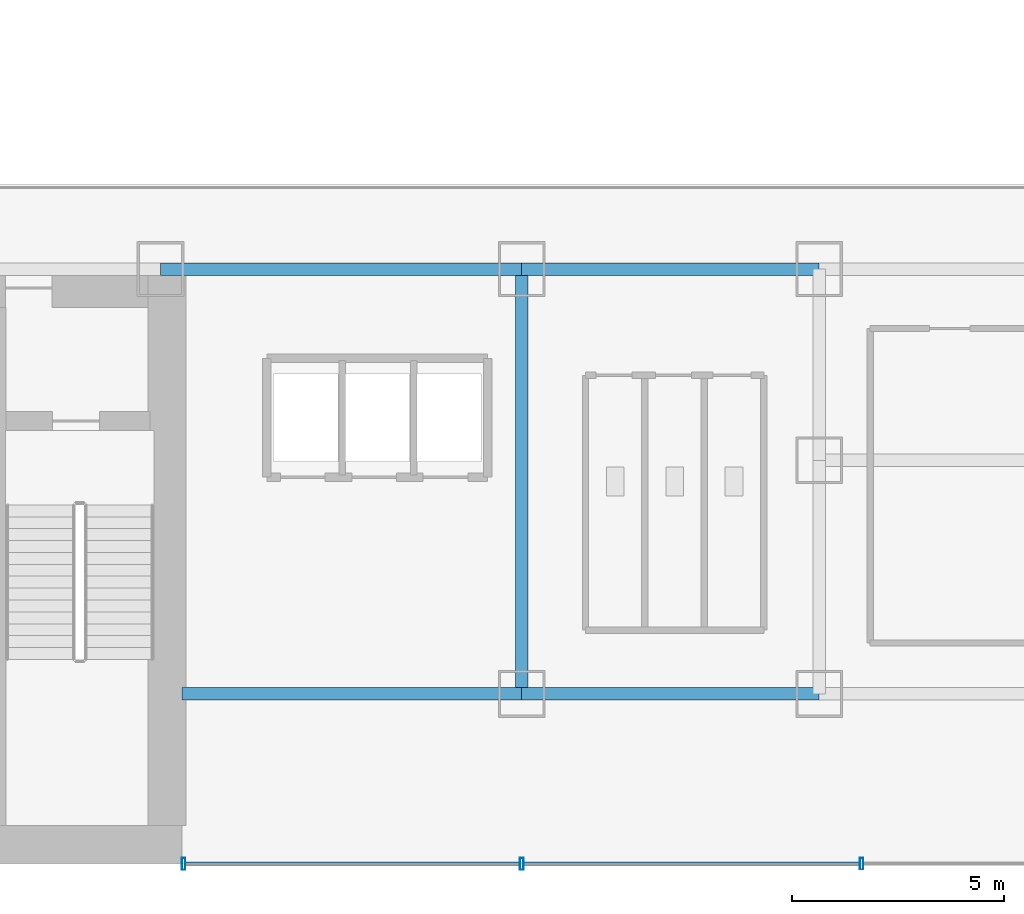
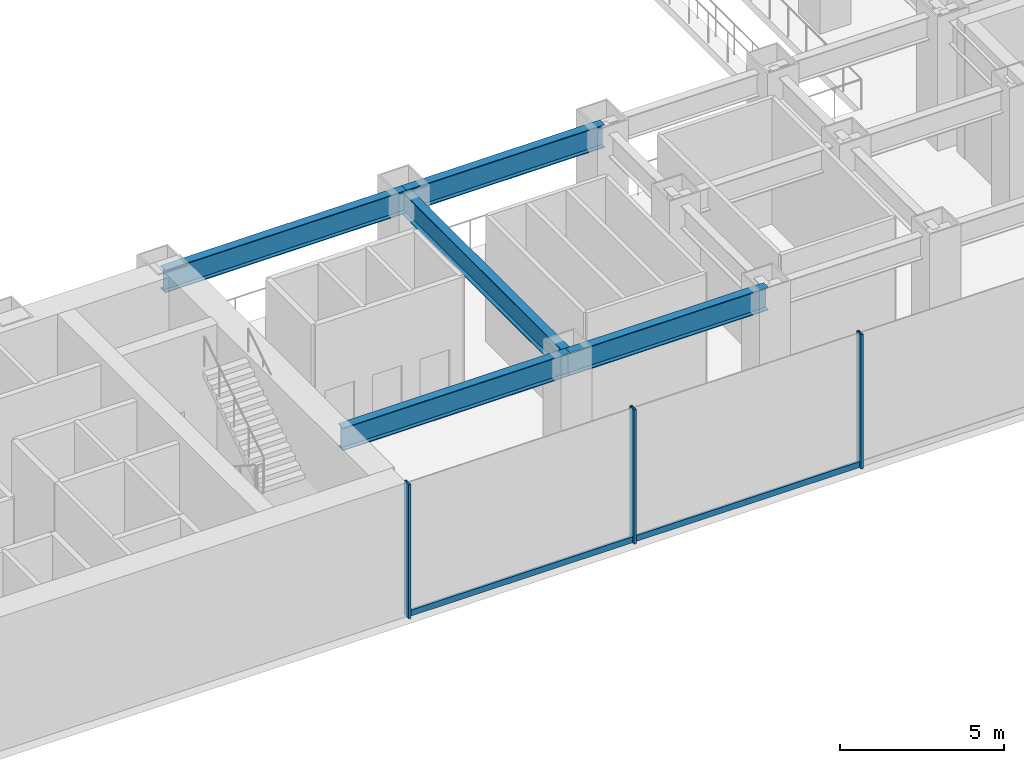
# One storey, part 9 of 40: 5 beams, 5 members, 1 element without a shape of its own.
"""IFC4 building model written with IfcOpenShell, lengths in metres."""

from ifc_helpers import new_model, si_unit, derived_unit, direction, frame, origin, origin_2d, place, context, subcontext, project, spatial, hollow_rectangle, i_section, extrude, source, transform, mapped, material, material_profile, profile_set, type_object, element, aggregate, save


model = new_model("IFC4")

# Units and contexts
model_context = context("Model", 3, precision=1e-05, world=origin(), true_north=direction((0.0, 1.0)))
body_context = subcontext(model_context, "Body", "Model", "MODEL_VIEW")
ifc_project = project(units=[si_unit("LENGTHUNIT", "METRE"), si_unit("AREAUNIT", "SQUARE_METRE"), si_unit("VOLUMEUNIT", "CUBIC_METRE"), si_unit("PLANEANGLEUNIT", "RADIAN"), si_unit("MASSUNIT", "GRAM", prefix="KILO"), derived_unit("THERMALTRANSMITTANCEUNIT", [(si_unit("POWERUNIT", "WATT"), 1), (si_unit("LENGTHUNIT", "METRE"), -2), (si_unit("THERMODYNAMICTEMPERATUREUNIT", "KELVIN"), -1)])], contexts=[model_context])

# Site, building, storey
site_placement = place(None, origin())
site = spatial("IfcSite", under=ifc_project, at=site_placement, CompositionType="ELEMENT")
building_placement = place(site_placement, origin())
building = spatial("IfcBuilding", under=site, at=building_placement, Name="Skarnbrae Concourse Arena and Tower", CompositionType="ELEMENT")
storey_placement = place(building_placement, frame((0.0, 0.0, 6.0)))
storey = spatial("IfcBuildingStorey", under=building, at=storey_placement, Name="L01", CompositionType="ELEMENT", Elevation=6.0)

# Beams
ifc_material_1 = material(Name="Steel CSA G40.21 350W", Category="steel")
ifc_material_profile_1 = material_profile(ifc_material_1, i_section(OverallWidth=0.2939453125, OverallDepth=0.85107421875, WebThickness=0.01611328125, FlangeThickness=0.02685546875, at=origin_2d()), Name="W840X226")
ifc_profile_set_1 = profile_set([ifc_material_profile_1], Name="Steel CSA G40.21 350W")
beam_type = type_object("IfcBeamType", Name="BM-GIRD-W840X226", PredefinedType="BEAM", material=ifc_profile_set_1)
shared_shape_1 = source(origin(), body_context, "Body", "SweptSolid", [
    extrude(i_section(OverallWidth=0.2939453125, OverallDepth=0.85107421875, WebThickness=0.01611328125, FlangeThickness=0.02685546875, at=origin_2d()), origin(), (0.0, 0.0, 1.0), 8.5),
])
beam_1_placement = place(storey_placement, frame((33.5, 14.0, 4.2744140625), z_axis=(1.0, 0.0, 0.0), x_axis=(0.0, 1.0, 0.0)))
element("IfcBeam", 1, at=beam_1_placement, inside=storey, type_object=beam_type, Name="L01 Podium south spine girder 6", PredefinedType="BEAM", context=body_context, shape_type="MappedRepresentation", body=[
    mapped(shared_shape_1, transform((0.0, 0.0, 0.0))),
])
shared_shape_2 = source(origin(), body_context, "Body", "SweptSolid", [
    extrude(i_section(OverallWidth=0.2939453125, OverallDepth=0.85107421875, WebThickness=0.01611328125, FlangeThickness=0.02685546875, at=origin_2d()), origin(), (0.0, 0.0, 1.0), 7.0),
])
for number, where, z_axis, x_axis, name in (
    (2, (42.0, 14.0, 4.2744140625), (1.0, 0.0, 0.0), (0.0, 1.0, 0.0), "L01 Podium south spine girder 7"),
    (3, (42.0, 4.0, 4.2744140625), (1.0, 0.0, 0.0), (0.0, 1.0, 0.0), "L01 South-east girder 2"),
):
    element("IfcBeam", number, at=place(storey_placement, frame(where, z_axis=z_axis, x_axis=x_axis)), inside=storey, type_object=beam_type, Name=name, PredefinedType="BEAM", context=body_context, shape_type="MappedRepresentation", body=[
        mapped(shared_shape_2, transform((0.0, 0.0, 0.0))),
    ])
shared_shape_3 = source(origin(), body_context, "Body", "SweptSolid", [
    extrude(i_section(OverallWidth=0.2939453125, OverallDepth=0.85107421875, WebThickness=0.01611328125, FlangeThickness=0.02685546875, at=origin_2d()), origin(), (0.0, 0.0, 1.0), 8.0),
])
beam_2_placement = place(storey_placement, frame((34.0, 4.0, 4.2744140625), z_axis=(1.0, 0.0, 0.0), x_axis=(0.0, 1.0, 0.0)))
element("IfcBeam", 4, at=beam_2_placement, inside=storey, type_object=beam_type, Name="L01 South-east girder 1", PredefinedType="BEAM", context=body_context, shape_type="MappedRepresentation", body=[
    mapped(shared_shape_3, transform((0.0, 0.0, 0.0))),
])
shared_shape_4 = source(origin(), body_context, "Body", "SweptSolid", [
    extrude(i_section(OverallWidth=0.2939453125, OverallDepth=0.85107421875, WebThickness=0.01611328125, FlangeThickness=0.02685546875, at=origin_2d()), origin(), (0.0, 0.0, 1.0), 10.0),
])
beam_3_placement = place(storey_placement, frame((42.0, 4.0, 4.2744140625), z_axis=(0.0, 1.0, 0.0), x_axis=(-1.0, 0.0, 0.0)))
element("IfcBeam", 5, at=beam_3_placement, inside=storey, type_object=beam_type, Name="L01 SE cross tie 42", PredefinedType="BEAM", context=body_context, shape_type="MappedRepresentation", body=[
    mapped(shared_shape_4, transform((0.0, 0.0, 0.0))),
])

# Curtain wall, members
ifc_material_2 = material(Name="Bronze anodised aluminium 6063-T6", Category="aluminium")
curtain_wall_type = type_object("IfcCurtainWallType", Name="CW-SYS-01-PODIUM", PredefinedType="USERDEFINED", material=ifc_material_2)
curtain_wall_placement = place(storey_placement, origin())
curtain_wall = element("IfcCurtainWall", 6, at=curtain_wall_placement, inside=storey, type_object=curtain_wall_type, Name="L01 Unitised curtain wall CW-L01-SE", ObjectType="UNITISED CURTAIN WALL", PredefinedType="USERDEFINED")
ifc_material_profile_2 = material_profile(ifc_material_2, hollow_rectangle(XDim=0.0849609375, YDim=0.280029296875, WallThickness=0.006103515625, at=origin_2d()), Name="ALU-MULL-85X280")
ifc_profile_set_2 = profile_set([ifc_material_profile_2], Name="Bronze anodised aluminium 6063-T6")
member_type_1 = type_object("IfcMemberType", Name="CWM-CW-01", PredefinedType="MULLION", material=ifc_profile_set_2)
shared_shape_5 = source(origin(), body_context, "Body", "SweptSolid", [
    extrude(hollow_rectangle(XDim=0.0849609375, YDim=0.280029296875, WallThickness=0.006103515625, at=origin_2d()), origin(), (0.0, 0.0, 1.0), 5.0),
])
member_1_placement = place(storey_placement, frame((34.04248046875, 0.0, 0.0), z_axis=(0.0, 0.0, 1.0), x_axis=(1.0, 0.0, 0.0)))
member_1 = element("IfcMember", 7, at=member_1_placement, type_object=member_type_1, Name="CW-L01-SE Mullion 1", PredefinedType="MULLION", context=body_context, shape_type="MappedRepresentation", body=[
    mapped(shared_shape_5, transform((0.0, 0.0, 0.0))),
])
member_2_placement = place(storey_placement, frame((42.0, 0.0, 0.0), z_axis=(0.0, 0.0, 1.0), x_axis=(1.0, 0.0, 0.0)))
member_2 = element("IfcMember", 8, at=member_2_placement, type_object=member_type_1, Name="CW-L01-SE Mullion 2", PredefinedType="MULLION", context=body_context, shape_type="MappedRepresentation", body=[
    mapped(shared_shape_5, transform((0.0, 0.0, 0.0))),
])
member_3_placement = place(storey_placement, frame((50.0, 0.0, 0.0), z_axis=(0.0, 0.0, 1.0), x_axis=(1.0, 0.0, 0.0)))
member_3 = element("IfcMember", 9, at=member_3_placement, type_object=member_type_1, Name="CW-L01-SE Mullion 3", PredefinedType="MULLION", context=body_context, shape_type="MappedRepresentation", body=[
    mapped(shared_shape_5, transform((0.0, 0.0, 0.0))),
])
ifc_material_profile_3 = material_profile(ifc_material_2, hollow_rectangle(XDim=0.0849609375, YDim=0.219970703125, WallThickness=0.006103515625, at=origin_2d()), Name="ALU-TRAN-85X220")
ifc_profile_set_3 = profile_set([ifc_material_profile_3], Name="Bronze anodised aluminium 6063-T6")
member_type_2 = type_object("IfcMemberType", Name="CWT-CW-01", PredefinedType="USERDEFINED", material=ifc_profile_set_3)
shared_shape_6 = source(origin(), body_context, "Body", "SweptSolid", [
    extrude(hollow_rectangle(XDim=0.0849609375, YDim=0.219970703125, WallThickness=0.006103515625, at=origin_2d()), origin(), (0.0, 0.0, 1.0), 7.87255859375),
])
member_4_placement = place(storey_placement, frame((34.0849609375, 0.0, 0.110107421875), z_axis=(1.0, 0.0, 0.0), x_axis=(0.0, 1.0, 0.0)))
member_4 = element("IfcMember", 10, at=member_4_placement, type_object=member_type_2, Name="CW-L01-SE Transom 1", ObjectType="TRANSOM", PredefinedType="USERDEFINED", context=body_context, shape_type="MappedRepresentation", body=[
    mapped(shared_shape_6, transform((0.0, 0.0, 0.0))),
])
shared_shape_7 = source(origin(), body_context, "Body", "SweptSolid", [
    extrude(hollow_rectangle(XDim=0.0849609375, YDim=0.219970703125, WallThickness=0.006103515625, at=origin_2d()), origin(), (0.0, 0.0, 1.0), 7.9150390625),
])
member_5_placement = place(storey_placement, frame((42.04248046875, 0.0, 0.110107421875), z_axis=(1.0, 0.0, 0.0), x_axis=(0.0, 1.0, 0.0)))
member_5 = element("IfcMember", 11, at=member_5_placement, type_object=member_type_2, Name="CW-L01-SE Transom 2", ObjectType="TRANSOM", PredefinedType="USERDEFINED", context=body_context, shape_type="MappedRepresentation", body=[
    mapped(shared_shape_7, transform((0.0, 0.0, 0.0))),
])
aggregate(curtain_wall, [member_1, member_2, member_3, member_4, member_5])

save(model, "model.ifc")
